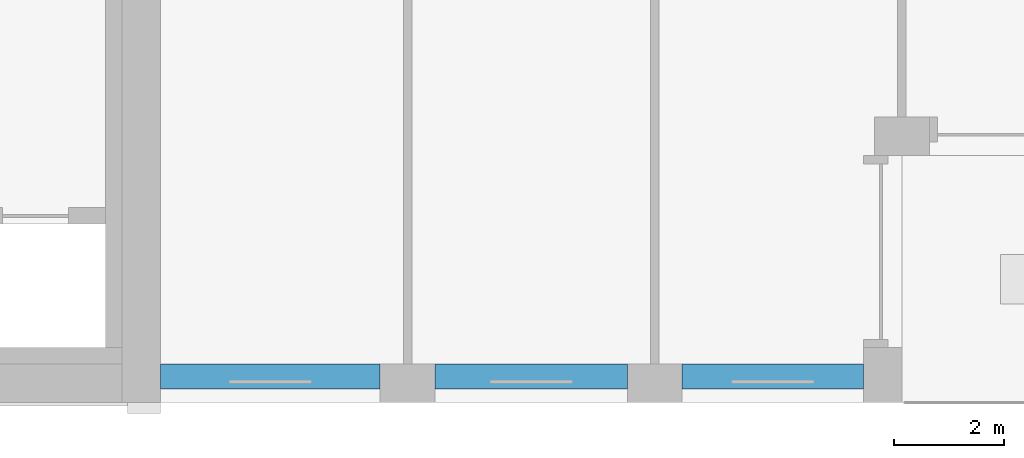
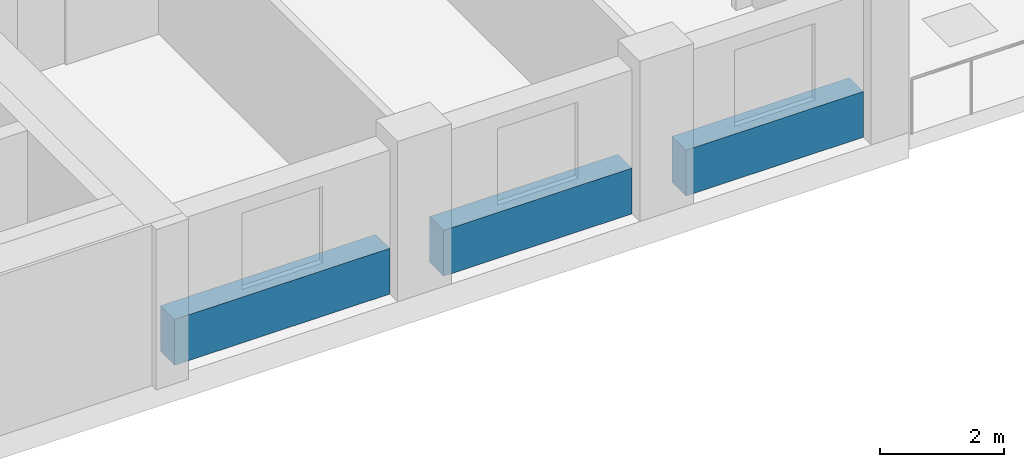
# One storey, part 3 of 17: 3 beams.
"""IFC4 building model written with IfcOpenShell, lengths in metres."""

from ifc_helpers import new_model, si_unit, direction, frame, origin, origin_2d, place, context, subcontext, project, spatial, rectangle, extrude, material, material_profile, profile_set, type_object, element, save


model = new_model("IFC4")

# Units and contexts
model_context = context("Model", 3, precision=1e-05, world=origin(), true_north=direction((0.0, 1.0)))
body_context = subcontext(model_context, "Body", "Model", "MODEL_VIEW")
ifc_project = project(units=[si_unit("LENGTHUNIT", "METRE"), si_unit("AREAUNIT", "SQUARE_METRE"), si_unit("VOLUMEUNIT", "CUBIC_METRE"), si_unit("PLANEANGLEUNIT", "RADIAN"), si_unit("MASSUNIT", "GRAM", prefix="KILO")], contexts=[model_context])

# Site, building, storey
site_placement = place(None, origin())
site = spatial("IfcSite", under=ifc_project, at=site_placement, CompositionType="ELEMENT")
building_placement = place(site_placement, origin())
building = spatial("IfcBuilding", under=site, at=building_placement, Name="Brigalow Station Residences", CompositionType="ELEMENT")
storey_placement = place(building_placement, frame((0.0, 0.0, 141.300048828125)))
storey = spatial("IfcBuildingStorey", under=building, at=storey_placement, Name="L40", CompositionType="ELEMENT", Elevation=141.300048828125)

# Beams
ifc_material = material(Name="Concrete C50", Category="concrete")
ifc_material_profile = material_profile(ifc_material, rectangle(XDim=0.449951171875, YDim=0.89990234375, at=origin_2d()), Name="RC450x900")
ifc_profile_set = profile_set([ifc_material_profile], Name="Concrete C50")
beam_type = type_object("IfcBeamType", Name="SPANDREL BEAM 450x900 C50", PredefinedType="SPANDREL", material=ifc_profile_set)
beam_1_placement = place(storey_placement, frame((54.0, 0.47509765625, 0.449951171875), z_axis=(1.0, 0.0, 0.0), x_axis=(0.0, 1.0, 0.0)))
element("IfcBeam", 1, at=beam_1_placement, inside=storey, type_object=beam_type, Name="L40/spandrel/W-L40-4", PredefinedType="SPANDREL", context=body_context, shape_type="SweptSolid", body=[
    extrude(rectangle(XDim=0.449951171875, YDim=0.89990234375, at=origin_2d()), origin(), (0.0, 0.0, 1.0), 4.0),
])
beam_2_placement = place(storey_placement, frame((59.0, 0.47509765625, 0.449951171875), z_axis=(1.0, 0.0, 0.0), x_axis=(0.0, 1.0, 0.0)))
element("IfcBeam", 2, at=beam_2_placement, inside=storey, type_object=beam_type, Name="L40/spandrel/W-L40-5", PredefinedType="SPANDREL", context=body_context, shape_type="SweptSolid", body=[
    extrude(rectangle(XDim=0.449951171875, YDim=0.89990234375, at=origin_2d()), origin(), (0.0, 0.0, 1.0), 3.5),
])
beam_3_placement = place(storey_placement, frame((63.5, 0.47509765625, 0.449951171875), z_axis=(1.0, 0.0, 0.0), x_axis=(0.0, 1.0, 0.0)))
element("IfcBeam", 3, at=beam_3_placement, inside=storey, type_object=beam_type, Name="L40/spandrel/W-L40-6", PredefinedType="SPANDREL", context=body_context, shape_type="SweptSolid", body=[
    extrude(rectangle(XDim=0.449951171875, YDim=0.89990234375, at=origin_2d()), origin(), (0.0, 0.0, 1.0), 3.300048828125),
])

save(model, "model.ifc")
